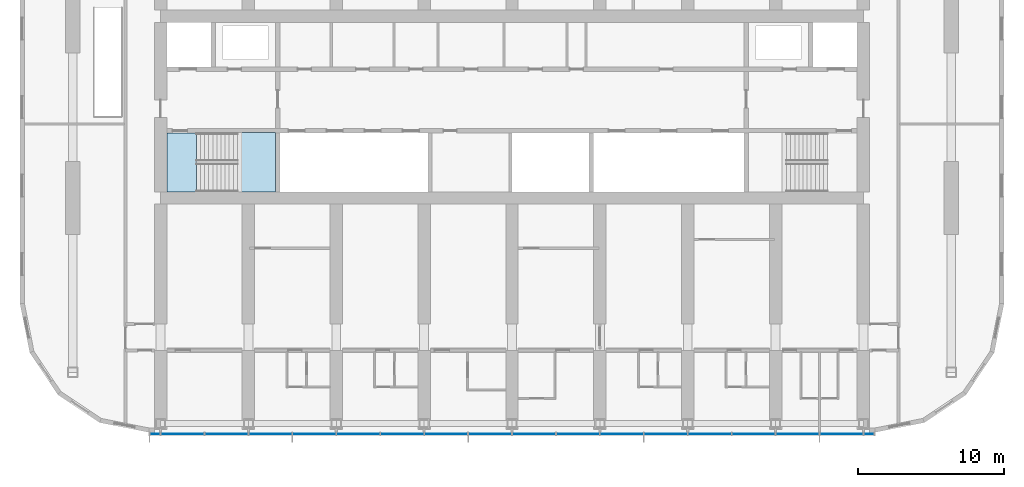
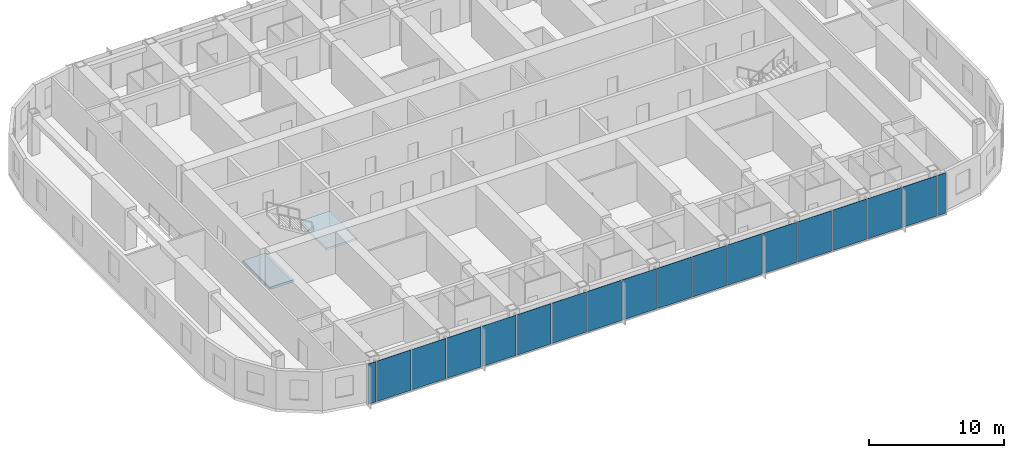
# One storey, part 7 of 22: 18 plates, 2 slabs, 2 elements without a shape of their own.
"""IFC4 building model written with IfcOpenShell, lengths in metres."""

from ifc_helpers import new_model, si_unit, direction, frame, origin, origin_2d, place, context, subcontext, project, spatial, polyline, rectangle, outline, extrude, material, layer, layer_set, type_object, element, aggregate, save


model = new_model("IFC4")

# Units and contexts
model_context = context("Model", 3, precision=1e-05, world=origin(), true_north=direction((0.0, 1.0)))
body_context = subcontext(model_context, "Body", "Model", "MODEL_VIEW")
ifc_project = project(units=[si_unit("LENGTHUNIT", "METRE"), si_unit("AREAUNIT", "SQUARE_METRE"), si_unit("VOLUMEUNIT", "CUBIC_METRE"), si_unit("PLANEANGLEUNIT", "RADIAN"), si_unit("MASSUNIT", "GRAM", prefix="KILO")], contexts=[model_context])

# Site, building, storey
site_placement = place(None, origin())
site = spatial("IfcSite", under=ifc_project, at=site_placement, CompositionType="ELEMENT")
building_placement = place(site_placement, origin())
building = spatial("IfcBuilding", under=site, at=building_placement, Name="Orbita Commons", CompositionType="ELEMENT")
storey_placement = place(building_placement, frame((0.0, 0.0, 182.35009765625)))
storey = spatial("IfcBuildingStorey", under=building, at=storey_placement, Name="L45", CompositionType="ELEMENT", Elevation=182.35009765625)

# Curtain wall, plates
ifc_material_1 = material(Name="Anodised aluminium frame, pale silver", Category="aluminium")
curtain_wall_type = type_object("IfcCurtainWallType", Name="Unitised curtain wall CW-U, full-height vision", PredefinedType="NOTDEFINED", material=ifc_material_1)
curtain_wall_placement = place(storey_placement, origin())
curtain_wall = element("IfcCurtainWall", 1, at=curtain_wall_placement, inside=storey, type_object=curtain_wall_type, Name="Curtain wall south L45", PredefinedType="NOTDEFINED")
ifc_material_2 = material(Name="Clear double glazing", Category="glass")
ifc_layer_1 = layer(ifc_material_2, 0.031982421875)
ifc_layer_set_1 = layer_set([ifc_layer_1], Name="Clear double glazing")
plate_type = type_object("IfcPlateType", Name="Full-height vision panel, clear glazing 32", PredefinedType="CURTAIN_PANEL", material=ifc_layer_set_1)
plate_1_placement = place(storey_placement, frame((17.6201171875, 9.68994140625, -0.150146484375), z_axis=(0.0, 0.0, 1.0), x_axis=(1.0, 0.0, 0.0)))
plate_1 = element("IfcPlate", 2, at=plate_1_placement, type_object=plate_type, Name="Panel 1.1 CW-L45-S", PredefinedType="CURTAIN_PANEL", context=body_context, shape_type="SweptSolid", body=[
    extrude(rectangle(XDim=0.679931640625, YDim=0.031982421875, at=origin_2d()), origin(), (0.0, 0.0, 1.0), 3.64990234375),
])
plate_2_placement = place(storey_placement, frame((19.5, 9.68994140625, -0.150146484375), z_axis=(0.0, 0.0, 1.0), x_axis=(1.0, 0.0, 0.0)))
plate_2 = element("IfcPlate", 3, at=plate_2_placement, type_object=plate_type, Name="Panel 2.1 CW-L45-S", PredefinedType="CURTAIN_PANEL", context=body_context, shape_type="SweptSolid", body=[
    extrude(rectangle(XDim=2.919921875, YDim=0.031982421875, at=origin_2d()), origin(), (0.0, 0.0, 1.0), 3.64990234375),
])
plate_3_placement = place(storey_placement, frame((22.5, 9.68994140625, -0.150146484375), z_axis=(0.0, 0.0, 1.0), x_axis=(1.0, 0.0, 0.0)))
plate_3 = element("IfcPlate", 4, at=plate_3_placement, type_object=plate_type, Name="Panel 3.1 CW-L45-S", PredefinedType="CURTAIN_PANEL", context=body_context, shape_type="SweptSolid", body=[
    extrude(rectangle(XDim=2.919921875, YDim=0.031982421875, at=origin_2d()), origin(), (0.0, 0.0, 1.0), 3.64990234375),
])
plate_4_placement = place(storey_placement, frame((25.5, 9.68994140625, -0.150146484375), z_axis=(0.0, 0.0, 1.0), x_axis=(1.0, 0.0, 0.0)))
plate_4 = element("IfcPlate", 5, at=plate_4_placement, type_object=plate_type, Name="Panel 4.1 CW-L45-S", PredefinedType="CURTAIN_PANEL", context=body_context, shape_type="SweptSolid", body=[
    extrude(rectangle(XDim=2.919921875, YDim=0.031982421875, at=origin_2d()), origin(), (0.0, 0.0, 1.0), 3.64990234375),
])
plate_5_placement = place(storey_placement, frame((28.5, 9.68994140625, -0.150146484375), z_axis=(0.0, 0.0, 1.0), x_axis=(1.0, 0.0, 0.0)))
plate_5 = element("IfcPlate", 6, at=plate_5_placement, type_object=plate_type, Name="Panel 5.1 CW-L45-S", PredefinedType="CURTAIN_PANEL", context=body_context, shape_type="SweptSolid", body=[
    extrude(rectangle(XDim=2.919921875, YDim=0.031982421875, at=origin_2d()), origin(), (0.0, 0.0, 1.0), 3.64990234375),
])
plate_6_placement = place(storey_placement, frame((31.5, 9.68994140625, -0.150146484375), z_axis=(0.0, 0.0, 1.0), x_axis=(1.0, 0.0, 0.0)))
plate_6 = element("IfcPlate", 7, at=plate_6_placement, type_object=plate_type, Name="Panel 6.1 CW-L45-S", PredefinedType="CURTAIN_PANEL", context=body_context, shape_type="SweptSolid", body=[
    extrude(rectangle(XDim=2.919921875, YDim=0.031982421875, at=origin_2d()), origin(), (0.0, 0.0, 1.0), 3.64990234375),
])
plate_7_placement = place(storey_placement, frame((34.5, 9.68994140625, -0.150146484375), z_axis=(0.0, 0.0, 1.0), x_axis=(1.0, 0.0, 0.0)))
plate_7 = element("IfcPlate", 8, at=plate_7_placement, type_object=plate_type, Name="Panel 7.1 CW-L45-S", PredefinedType="CURTAIN_PANEL", context=body_context, shape_type="SweptSolid", body=[
    extrude(rectangle(XDim=2.919921875, YDim=0.031982421875, at=origin_2d()), origin(), (0.0, 0.0, 1.0), 3.64990234375),
])
plate_8_placement = place(storey_placement, frame((37.5, 9.68994140625, -0.150146484375), z_axis=(0.0, 0.0, 1.0), x_axis=(1.0, 0.0, 0.0)))
plate_8 = element("IfcPlate", 9, at=plate_8_placement, type_object=plate_type, Name="Panel 8.1 CW-L45-S", PredefinedType="CURTAIN_PANEL", context=body_context, shape_type="SweptSolid", body=[
    extrude(rectangle(XDim=2.919921875, YDim=0.031982421875, at=origin_2d()), origin(), (0.0, 0.0, 1.0), 3.64990234375),
])
plate_9_placement = place(storey_placement, frame((40.5, 9.68994140625, -0.150146484375), z_axis=(0.0, 0.0, 1.0), x_axis=(1.0, 0.0, 0.0)))
plate_9 = element("IfcPlate", 10, at=plate_9_placement, type_object=plate_type, Name="Panel 9.1 CW-L45-S", PredefinedType="CURTAIN_PANEL", context=body_context, shape_type="SweptSolid", body=[
    extrude(rectangle(XDim=2.919921875, YDim=0.031982421875, at=origin_2d()), origin(), (0.0, 0.0, 1.0), 3.64990234375),
])
plate_10_placement = place(storey_placement, frame((43.5, 9.68994140625, -0.150146484375), z_axis=(0.0, 0.0, 1.0), x_axis=(1.0, 0.0, 0.0)))
plate_10 = element("IfcPlate", 11, at=plate_10_placement, type_object=plate_type, Name="Panel 10.1 CW-L45-S", PredefinedType="CURTAIN_PANEL", context=body_context, shape_type="SweptSolid", body=[
    extrude(rectangle(XDim=2.919921875, YDim=0.031982421875, at=origin_2d()), origin(), (0.0, 0.0, 1.0), 3.64990234375),
])
plate_11_placement = place(storey_placement, frame((46.5, 9.68994140625, -0.150146484375), z_axis=(0.0, 0.0, 1.0), x_axis=(1.0, 0.0, 0.0)))
plate_11 = element("IfcPlate", 12, at=plate_11_placement, type_object=plate_type, Name="Panel 11.1 CW-L45-S", PredefinedType="CURTAIN_PANEL", context=body_context, shape_type="SweptSolid", body=[
    extrude(rectangle(XDim=2.919921875, YDim=0.031982421875, at=origin_2d()), origin(), (0.0, 0.0, 1.0), 3.64990234375),
])
plate_12_placement = place(storey_placement, frame((49.5, 9.68994140625, -0.150146484375), z_axis=(0.0, 0.0, 1.0), x_axis=(1.0, 0.0, 0.0)))
plate_12 = element("IfcPlate", 13, at=plate_12_placement, type_object=plate_type, Name="Panel 12.1 CW-L45-S", PredefinedType="CURTAIN_PANEL", context=body_context, shape_type="SweptSolid", body=[
    extrude(rectangle(XDim=2.919921875, YDim=0.031982421875, at=origin_2d()), origin(), (0.0, 0.0, 1.0), 3.64990234375),
])
plate_13_placement = place(storey_placement, frame((52.5, 9.68994140625, -0.150146484375), z_axis=(0.0, 0.0, 1.0), x_axis=(1.0, 0.0, 0.0)))
plate_13 = element("IfcPlate", 14, at=plate_13_placement, type_object=plate_type, Name="Panel 13.1 CW-L45-S", PredefinedType="CURTAIN_PANEL", context=body_context, shape_type="SweptSolid", body=[
    extrude(rectangle(XDim=2.919921875, YDim=0.031982421875, at=origin_2d()), origin(), (0.0, 0.0, 1.0), 3.64990234375),
])
plate_14_placement = place(storey_placement, frame((55.5, 9.68994140625, -0.150146484375), z_axis=(0.0, 0.0, 1.0), x_axis=(1.0, 0.0, 0.0)))
plate_14 = element("IfcPlate", 15, at=plate_14_placement, type_object=plate_type, Name="Panel 14.1 CW-L45-S", PredefinedType="CURTAIN_PANEL", context=body_context, shape_type="SweptSolid", body=[
    extrude(rectangle(XDim=2.919921875, YDim=0.031982421875, at=origin_2d()), origin(), (0.0, 0.0, 1.0), 3.64990234375),
])
plate_15_placement = place(storey_placement, frame((58.5, 9.68994140625, -0.150146484375), z_axis=(0.0, 0.0, 1.0), x_axis=(1.0, 0.0, 0.0)))
plate_15 = element("IfcPlate", 16, at=plate_15_placement, type_object=plate_type, Name="Panel 15.1 CW-L45-S", PredefinedType="CURTAIN_PANEL", context=body_context, shape_type="SweptSolid", body=[
    extrude(rectangle(XDim=2.919921875, YDim=0.031982421875, at=origin_2d()), origin(), (0.0, 0.0, 1.0), 3.64990234375),
])
plate_16_placement = place(storey_placement, frame((61.5, 9.68994140625, -0.150146484375), z_axis=(0.0, 0.0, 1.0), x_axis=(1.0, 0.0, 0.0)))
plate_16 = element("IfcPlate", 17, at=plate_16_placement, type_object=plate_type, Name="Panel 16.1 CW-L45-S", PredefinedType="CURTAIN_PANEL", context=body_context, shape_type="SweptSolid", body=[
    extrude(rectangle(XDim=2.919921875, YDim=0.031982421875, at=origin_2d()), origin(), (0.0, 0.0, 1.0), 3.64990234375),
])
plate_17_placement = place(storey_placement, frame((64.5, 9.68994140625, -0.150146484375), z_axis=(0.0, 0.0, 1.0), x_axis=(1.0, 0.0, 0.0)))
plate_17 = element("IfcPlate", 18, at=plate_17_placement, type_object=plate_type, Name="Panel 17.1 CW-L45-S", PredefinedType="CURTAIN_PANEL", context=body_context, shape_type="SweptSolid", body=[
    extrude(rectangle(XDim=2.919921875, YDim=0.031982421875, at=origin_2d()), origin(), (0.0, 0.0, 1.0), 3.64990234375),
])
plate_18_placement = place(storey_placement, frame((66.3798828125, 9.68994140625, -0.150146484375), z_axis=(0.0, 0.0, 1.0), x_axis=(1.0, 0.0, 0.0)))
plate_18 = element("IfcPlate", 19, at=plate_18_placement, type_object=plate_type, Name="Panel 18.1 CW-L45-S", PredefinedType="CURTAIN_PANEL", context=body_context, shape_type="SweptSolid", body=[
    extrude(rectangle(XDim=0.679931640625, YDim=0.031982421875, at=origin_2d()), origin(), (0.0, 0.0, 1.0), 3.64990234375),
])
aggregate(curtain_wall, [plate_1, plate_2, plate_3, plate_4, plate_5, plate_6, plate_7, plate_8, plate_9, plate_10, plate_11, plate_12, plate_13, plate_14, plate_15, plate_16, plate_17, plate_18])

# Stair, slabs
ifc_material_3 = material(Name="Precast concrete C40/50", Category="concrete")
stair_type = type_object("IfcStairType", Name="Exit stair S1 2 flights 11 risers 170", PredefinedType="HALF_TURN_STAIR", material=ifc_material_3)
stair_placement = place(storey_placement, origin())
stair = element("IfcStair", 20, at=stair_placement, inside=storey, type_object=stair_type, Name="Exit stair S1 L45", PredefinedType="HALF_TURN_STAIR")
ifc_material_4 = material(Name="Concrete C40/50", Category="concrete")
ifc_layer_2 = layer(ifc_material_4, 0.199951171875)
ifc_layer_set_2 = layer_set([ifc_layer_2], Name="Concrete C40/50")
slab_type = type_object("IfcSlabType", Name="Stair landing 200", PredefinedType="LANDING", material=ifc_layer_set_2)
slab_1_placement = place(storey_placement, frame((0.0, 0.0, -0.2001953125)))
slab_1 = element("IfcSlab", 21, at=slab_1_placement, type_object=slab_type, Name="S1 landing 1", PredefinedType="LANDING", context=body_context, shape_type="SweptSolid", body=[
    extrude(outline(polyline([(18.425048828125, 26.22509765625), (20.449951171875, 26.22509765625), (20.449951171875, 30.25), (18.425048828125, 30.25), (18.425048828125, 26.22509765625)])), origin(), (0.0, 0.0, 1.0), 0.2001953125),
])
slab_2_placement = place(storey_placement, frame((0.0, 0.0, 1.6748046875)))
slab_2 = element("IfcSlab", 22, at=slab_2_placement, type_object=slab_type, Name="S1 landing 2", PredefinedType="LANDING", context=body_context, shape_type="SweptSolid", body=[
    extrude(outline(polyline([(23.25, 26.2099609375), (25.864990234375, 26.2099609375), (25.864990234375, 30.264892578125), (23.25, 30.264892578125), (23.25, 26.2099609375)])), origin(), (0.0, 0.0, 1.0), 0.2001953125),
])
aggregate(stair, [slab_1, slab_2])

save(model, "model.ifc")
